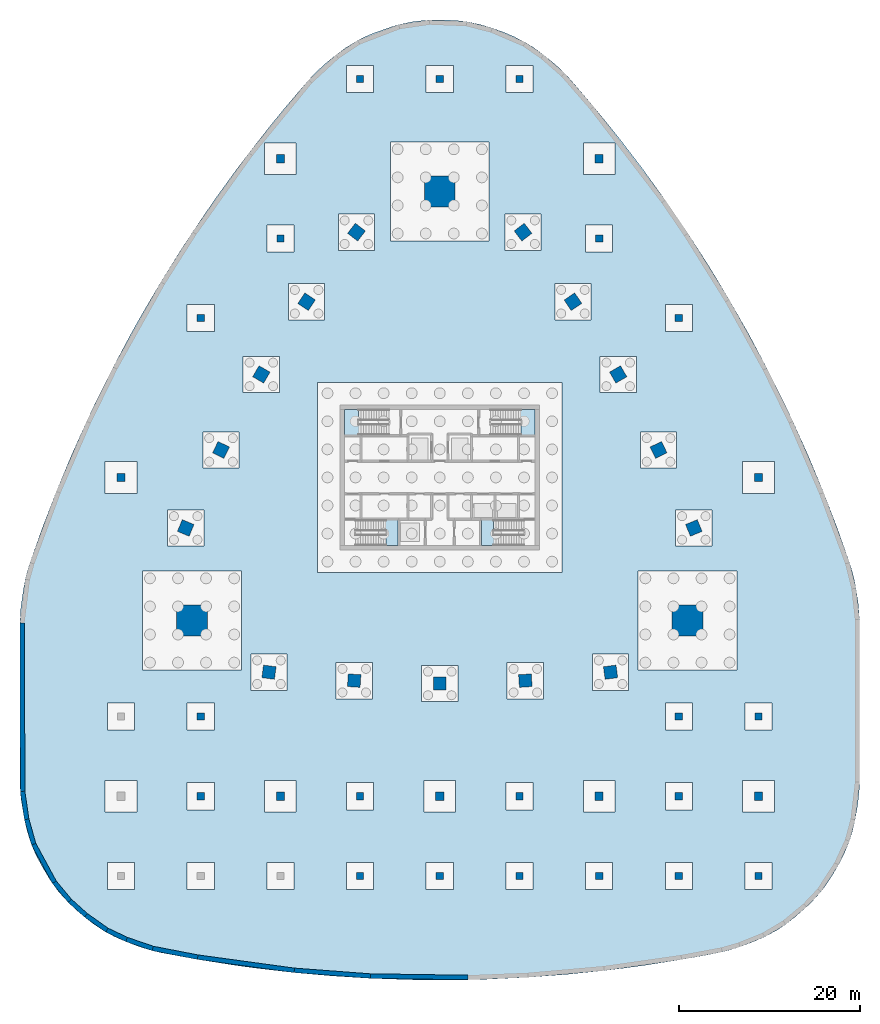
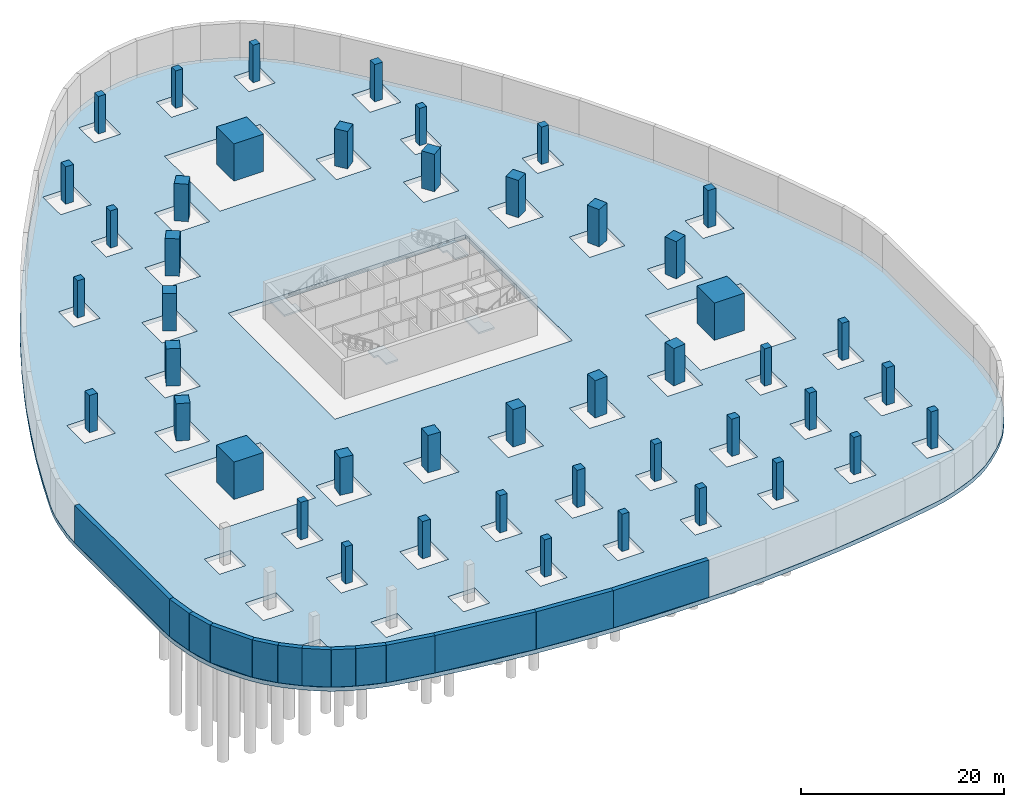
# One storey, part 2 of 8: 46 columns, 13 walls, 5 slabs, 4 elements without a shape of their own.
"""IFC4 building model written with IfcOpenShell, lengths in metres."""

from ifc_helpers import new_model, si_unit, direction, frame, frame_2d, origin, origin_2d, place, context, subcontext, project, spatial, polyline, rectangle, outline, extrude, material, layer, layer_set, material_profile, profile_set, type_object, element, aggregate, save


model = new_model("IFC4")

# Units and contexts
model_context = context("Model", 3, precision=1e-05, world=origin(), true_north=direction((0.0, 1.0)))
body_context = subcontext(model_context, "Body", "Model", "MODEL_VIEW")
ifc_project = project(units=[si_unit("LENGTHUNIT", "METRE"), si_unit("AREAUNIT", "SQUARE_METRE"), si_unit("VOLUMEUNIT", "CUBIC_METRE"), si_unit("PLANEANGLEUNIT", "RADIAN"), si_unit("MASSUNIT", "GRAM", prefix="KILO")], contexts=[model_context])

# Site, building, storey
site_placement = place(None, origin())
site = spatial("IfcSite", under=ifc_project, at=site_placement, CompositionType="ELEMENT")
building_placement = place(site_placement, origin())
building = spatial("IfcBuilding", under=site, at=building_placement, Name="Sierra Prisma Convention Tower", CompositionType="ELEMENT")
storey_placement = place(building_placement, frame((0.0, 0.0, -9.0)))
storey = spatial("IfcBuildingStorey", under=building, at=storey_placement, Name="B2", CompositionType="ELEMENT", Elevation=-9.0)

# Columns
ifc_material_1 = material(Name="Concrete C60/75", Category="concrete")
ifc_material_profile_1 = material_profile(ifc_material_1, rectangle(XDim=0.800048828125, YDim=0.800048828125, at=origin_2d()), Name="Basement column RC 800 C60/75")
ifc_profile_set_1 = profile_set([ifc_material_profile_1], Name="Concrete C60/75")
column_type_1 = type_object("IfcColumnType", Name="Basement column RC 800 C60/75", PredefinedType="COLUMN", material=ifc_profile_set_1)
for number, where, z_axis, x_axis, name in (
    (1, (-26.39990234375, -35.199951171875, 0.0), (0.0, 0.0, 1.0), (1.0, 0.0, 0.0), "Column B2 -26.4 -35.2"),
    (2, (-26.39990234375, -26.39990234375, 0.0), (0.0, 0.0, 1.0), (1.0, 0.0, 0.0), "Column B2 -26.4 -26.4"),
    (3, (-26.39990234375, 17.60009765625, 0.0), (0.0, 0.0, 1.0), (1.0, 0.0, 0.0), "Column B2 -26.4 +17.6"),
    (4, (-17.60009765625, 26.39990234375, 0.0), (0.0, 0.0, 1.0), (1.0, 0.0, 0.0), "Column B2 -17.6 +26.4"),
    (5, (-8.800048828125, -44.0, 0.0), (0.0, 0.0, 1.0), (1.0, 0.0, 0.0), "Column B2 -8.8 -44.0"),
    (6, (-8.800048828125, -35.199951171875, 0.0), (0.0, 0.0, 1.0), (1.0, 0.0, 0.0), "Column B2 -8.8 -35.2"),
    (7, (-8.800048828125, 44.0, 0.0), (0.0, 0.0, 1.0), (1.0, 0.0, 0.0), "Column B2 -8.8 +44.0"),
    (8, (0.0, -44.0, 0.0), (0.0, 0.0, 1.0), (1.0, 0.0, 0.0), "Column B2 +0.0 -44.0"),
    (9, (0.0, 44.0, 0.0), (0.0, 0.0, 1.0), (1.0, 0.0, 0.0), "Column B2 +0.0 +44.0"),
    (10, (8.800048828125, -44.0, 0.0), (0.0, 0.0, 1.0), (1.0, 0.0, 0.0), "Column B2 +8.8 -44.0"),
    (11, (8.800048828125, -35.199951171875, 0.0), (0.0, 0.0, 1.0), (1.0, 0.0, 0.0), "Column B2 +8.8 -35.2"),
    (12, (8.800048828125, 44.0, 0.0), (0.0, 0.0, 1.0), (1.0, 0.0, 0.0), "Column B2 +8.8 +44.0"),
    (13, (17.60009765625, -44.0, 0.0), (0.0, 0.0, 1.0), (1.0, 0.0, 0.0), "Column B2 +17.6 -44.0"),
    (14, (17.60009765625, 26.39990234375, 0.0), (0.0, 0.0, 1.0), (1.0, 0.0, 0.0), "Column B2 +17.6 +26.4"),
    (15, (26.39990234375, -44.0, 0.0), (0.0, 0.0, 1.0), (1.0, 0.0, 0.0), "Column B2 +26.4 -44.0"),
    (16, (26.39990234375, -35.199951171875, 0.0), (0.0, 0.0, 1.0), (1.0, 0.0, 0.0), "Column B2 +26.4 -35.2"),
    (17, (26.39990234375, -26.39990234375, 0.0), (0.0, 0.0, 1.0), (1.0, 0.0, 0.0), "Column B2 +26.4 -26.4"),
    (18, (26.39990234375, 17.60009765625, 0.0), (0.0, 0.0, 1.0), (1.0, 0.0, 0.0), "Column B2 +26.4 +17.6"),
    (19, (35.199951171875, -44.0, 0.0), (0.0, 0.0, 1.0), (1.0, 0.0, 0.0), "Column B2 +35.2 -44.0"),
    (20, (35.199951171875, -26.39990234375, 0.0), (0.0, 0.0, 1.0), (1.0, 0.0, 0.0), "Column B2 +35.2 -26.4"),
):
    element("IfcColumn", number, at=place(storey_placement, frame(where, z_axis=z_axis, x_axis=x_axis)), inside=storey, type_object=column_type_1, Name=name, PredefinedType="COLUMN", context=body_context, shape_type="SweptSolid", body=[
        extrude(rectangle(XDim=0.800048828125, YDim=0.800048828125, at=origin_2d()), origin(), (0.0, 0.0, 1.0), 4.5),
    ])
ifc_material_2 = material(Name="Concrete C70/85", Category="concrete")
ifc_material_profile_2 = material_profile(ifc_material_2, rectangle(XDim=0.89990234375, YDim=0.89990234375, at=origin_2d()), Name="Hall column RC 900 C70/85")
ifc_profile_set_2 = profile_set([ifc_material_profile_2], Name="Concrete C70/85")
column_type_2 = type_object("IfcColumnType", Name="Hall column RC 900 C70/85", PredefinedType="COLUMN", material=ifc_profile_set_2)
for number, where, z_axis, x_axis, name in (
    (21, (-35.199951171875, 0.0, 0.0), (0.0, 0.0, 1.0), (1.0, 0.0, 0.0), "Column B2 -35.2 +0.0"),
    (22, (-17.60009765625, -35.199951171875, 0.0), (0.0, 0.0, 1.0), (1.0, 0.0, 0.0), "Column B2 -17.6 -35.2"),
    (23, (-17.60009765625, 35.199951171875, 0.0), (0.0, 0.0, 1.0), (1.0, 0.0, 0.0), "Column B2 -17.6 +35.2"),
    (24, (0.0, -35.199951171875, 0.0), (0.0, 0.0, 1.0), (1.0, 0.0, 0.0), "Column B2 +0.0 -35.2"),
    (25, (17.60009765625, -35.199951171875, 0.0), (0.0, 0.0, 1.0), (1.0, 0.0, 0.0), "Column B2 +17.6 -35.2"),
    (26, (17.60009765625, 35.199951171875, 0.0), (0.0, 0.0, 1.0), (1.0, 0.0, 0.0), "Column B2 +17.6 +35.2"),
    (27, (35.199951171875, -35.199951171875, 0.0), (0.0, 0.0, 1.0), (1.0, 0.0, 0.0), "Column B2 +35.2 -35.2"),
    (28, (35.199951171875, 0.0, 0.0), (0.0, 0.0, 1.0), (1.0, 0.0, 0.0), "Column B2 +35.2 +0.0"),
):
    element("IfcColumn", number, at=place(storey_placement, frame(where, z_axis=z_axis, x_axis=x_axis)), inside=storey, type_object=column_type_2, Name=name, PredefinedType="COLUMN", context=body_context, shape_type="SweptSolid", body=[
        extrude(rectangle(XDim=0.89990234375, YDim=0.89990234375, at=origin_2d()), origin(), (0.0, 0.0, 1.0), 4.5),
    ])
ifc_material_3 = material(Name="Concrete C70/85", Category="concrete")
ifc_material_profile_3 = material_profile(ifc_material_3, rectangle(XDim=3.39990234375, YDim=3.39990234375, at=origin_2d()), Name="Mega column RC 3400 C70/85")
ifc_profile_set_3 = profile_set([ifc_material_profile_3], Name="Concrete C70/85")
column_type_3 = type_object("IfcColumnType", Name="Mega column RC 3400 C70/85", PredefinedType="COLUMN", material=ifc_profile_set_3)
for number, where, z_axis, x_axis, name in (
    (29, (27.35498046875, -15.79345703125, 0.0), (0.0, 0.0, 1.0), (1.0, 0.0, 0.0), "Mega column SE B2"),
    (30, (0.0, 31.5869140625, 0.0), (0.0, 0.0, 1.0), (1.0, 0.0, 0.0), "Mega column N B2"),
    (31, (-27.35498046875, -15.79345703125, 0.0), (0.0, 0.0, 1.0), (1.0, 0.0, 0.0), "Mega column SW B2"),
):
    element("IfcColumn", number, at=place(storey_placement, frame(where, z_axis=z_axis, x_axis=x_axis)), inside=storey, type_object=column_type_3, Name=name, PredefinedType="COLUMN", context=body_context, shape_type="SweptSolid", body=[
        extrude(rectangle(XDim=3.39990234375, YDim=3.39990234375, at=origin_2d()), origin(), (0.0, 0.0, 1.0), 4.5),
    ])
ifc_material_4 = material(Name="Concrete C70/85", Category="concrete")
ifc_material_profile_4 = material_profile(ifc_material_4, rectangle(XDim=1.39990234375, YDim=1.39990234375, at=origin_2d()), Name="Perimeter column RC 1400 C70/85")
ifc_profile_set_4 = profile_set([ifc_material_profile_4], Name="Concrete C70/85")
column_type_4 = type_object("IfcColumnType", Name="Perimeter column RC 1400 C70/85", PredefinedType="COLUMN", material=ifc_profile_set_4)
for number, where, z_axis, x_axis, name in (
    (32, (-18.85986328125, -21.50830078125, 0.0), (0.0, 0.0, 1.0), (-0.991367231014, 0.131114504428, 0.0), "Perimeter column S-1 B2"),
    (33, (-9.450439453125, -22.439208984375, 0.0), (0.0, 0.0, 1.0), (-0.997839473817, 0.06569919705, 0.0), "Perimeter column S-2 B2"),
    (34, (0.0, -22.75, 0.0), (0.0, 0.0, 1.0), (1.0, 0.0, 0.0), "Perimeter column S-3 B2"),
    (35, (9.450439453125, -22.439208984375, 0.0), (0.0, 0.0, 1.0), (0.997839473817, 0.06569919705, 0.0), "Perimeter column S-4 B2"),
    (36, (18.85986328125, -21.50830078125, 0.0), (0.0, 0.0, 1.0), (0.991367231014, 0.131114504428, 0.0), "Perimeter column S-5 B2"),
    (37, (28.056640625, -5.5791015625, 0.0), (0.0, 0.0, 1.0), (-0.382135123868, 0.924106458752, 0.0), "Perimeter column NE-1 B2"),
    (38, (24.158203125, 3.035400390625, 0.0), (0.0, 0.0, 1.0), (-0.442022563255, 0.897003931749, 0.0), "Perimeter column NE-2 B2"),
    (39, (19.7021484375, 11.375, 0.0), (0.0, 0.0, 1.0), (-0.5, 0.866025403784, 0.0), "Perimeter column NE-3 B2"),
    (40, (14.707763671875, 19.40380859375, 0.0), (0.0, 0.0, 1.0), (-0.555816910562, 0.8313047347, 0.0), "Perimeter column NE-4 B2"),
    (41, (9.19677734375, 27.08740234375, 0.0), (0.0, 0.0, 1.0), (-0.609232107146, 0.792991954324, 0.0), "Perimeter column NE-5 B2"),
    (42, (-9.19677734375, 27.08740234375, 0.0), (0.0, 0.0, 1.0), (0.609232107146, 0.792991954324, 0.0), "Perimeter column NW-1 B2"),
    (43, (-14.707763671875, 19.40380859375, 0.0), (0.0, 0.0, 1.0), (0.555816910562, 0.8313047347, 0.0), "Perimeter column NW-2 B2"),
    (44, (-19.7021484375, 11.375, 0.0), (0.0, 0.0, 1.0), (0.5, 0.866025403784, 0.0), "Perimeter column NW-3 B2"),
    (45, (-24.158203125, 3.035400390625, 0.0), (0.0, 0.0, 1.0), (0.442022563255, 0.897003931749, 0.0), "Perimeter column NW-4 B2"),
    (46, (-28.056640625, -5.5791015625, 0.0), (0.0, 0.0, 1.0), (0.382135123868, 0.924106458752, 0.0), "Perimeter column NW-5 B2"),
):
    element("IfcColumn", number, at=place(storey_placement, frame(where, z_axis=z_axis, x_axis=x_axis)), inside=storey, type_object=column_type_4, Name=name, PredefinedType="COLUMN", context=body_context, shape_type="SweptSolid", body=[
        extrude(rectangle(XDim=1.39990234375, YDim=1.39990234375, at=origin_2d()), origin(), (0.0, 0.0, 1.0), 4.5),
    ])

# Slab
ifc_material_5 = material(Name="Concrete C35/45", Category="concrete")
ifc_layer_1 = layer(ifc_material_5, 0.5)
ifc_layer_set_1 = layer_set([ifc_layer_1], Name="Basement base slab 500")
slab_type_1 = type_object("IfcSlabType", Name="Basement base slab 500", PredefinedType="BASESLAB", material=ifc_layer_set_1)
slab_1_placement = place(storey_placement, frame((0.0, 0.0, -0.5)))
element("IfcSlab", 47, at=slab_1_placement, inside=storey, type_object=slab_type_1, Name="Floor slab B2 base", PredefinedType="BASESLAB", context=body_context, shape_type="SweptSolid", body=[
    extrude(outline(polyline([(3.1064453125, -55.468994140625), (5.262939453125, -55.412109375), (9.762939453125, -55.198974609375), (14.1328125, -54.868408203125), (18.167724609375, -54.455322265625), (20.376708984375, -54.185302734375), (22.702392578125, -53.8662109375), (26.708984375, -53.234375), (29.020263671875, -52.822021484375), (31.199951171875, -52.39208984375), (31.758056640625, -52.258544921875), (33.15185546875, -51.833251953125), (34.67578125, -51.25732421875), (35.86865234375, -50.73681640625), (37.2607421875, -49.982177734375), (38.199462890625, -49.348388671875), (39.225341796875, -48.547607421875), (40.50048828125, -47.436279296875), (41.031494140625, -46.927978515625), (42.09228515625, -45.75244140625), (42.765869140625, -44.841796875), (43.4658203125, -43.74462890625), (44.0283203125, -42.770263671875), (44.628662109375, -41.615478515625), (45.236572265625, -40.1533203125), (45.568115234375, -39.0703125), (45.8623046875, -37.802490234375), (46.15087890625, -36.1904296875), (46.31689453125, -34.686279296875), (46.3544921875, -33.632080078125), (46.346923828125, -15.666259765625), (46.206787109375, -13.87548828125), (45.954833984375, -12.228515625), (45.761962890625, -11.231201171875), (45.5478515625, -10.3740234375), (45.2490234375, -9.4033203125), (43.89208984375, -5.577392578125), (42.38720703125, -1.66455078125), (40.73095703125, 2.3193359375), (38.99560546875, 6.19482421875), (37.962158203125, 8.37841796875), (36.121826171875, 12.069091796875), (34.127197265625, 15.81787109375), (31.964111328125, 19.62939453125), (29.732666015625, 23.32177734375), (27.4013671875, 26.952392578125), (24.90185546875, 30.6181640625), (22.3740234375, 34.114501953125), (19.709716796875, 37.593994140625), (16.993896484375, 40.946533203125), (14.481201171875, 43.888427734375), (13.789794921875, 44.632568359375), (13.154296875, 45.24658203125), (12.38720703125, 45.912353515625), (11.4638671875, 46.658935546875), (10.41650390625, 47.431640625), (9.4609375, 48.03955078125), (8.048828125, 48.755859375), (6.84228515625, 49.243896484375), (5.781494140625, 49.618896484375), (4.53662109375, 49.998291015625), (2.988037109375, 50.3291015625), (1.86279296875, 50.457275390625), (0.5625, 50.514892578125), (-1.12890625, 50.498779296875), (-1.86279296875, 50.457275390625), (-2.988037109375, 50.3291015625), (-4.53662109375, 49.998291015625), (-5.242431640625, 49.792724609375), (-7.370849609375, 49.039794921875), (-8.048828125, 48.755859375), (-9.067138671875, 48.260009765625), (-10.41650390625, 47.431640625), (-11.4638671875, 46.658935546875), (-12.724609375, 45.626953125), (-13.789794921875, 44.632568359375), (-14.481201171875, 43.888427734375), (-16.993896484375, 40.946533203125), (-18.52587890625, 39.07861328125), (-21.07470703125, 35.83642578125), (-22.487548828125, 33.96142578125), (-24.90185546875, 30.6181640625), (-27.2958984375, 27.11083984375), (-28.615966796875, 25.087646484375), (-30.797607421875, 21.587890625), (-32.94775390625, 17.926025390625), (-34.127197265625, 15.81787109375), (-36.06591796875, 12.177978515625), (-37.962158203125, 8.37841796875), (-38.99560546875, 6.19482421875), (-40.73095703125, 2.3193359375), (-42.341796875, -1.551025390625), (-43.89208984375, -5.577392578125), (-45.2490234375, -9.4033203125), (-45.5478515625, -10.3740234375), (-45.761962890625, -11.231201171875), (-45.954833984375, -12.228515625), (-46.26611328125, -14.379638671875), (-46.3544921875, -16.05712890625), (-46.3544921875, -33.632080078125), (-46.31689453125, -34.686279296875), (-46.232666015625, -35.60009765625), (-45.8623046875, -37.802490234375), (-45.568115234375, -39.0703125), (-45.080322265625, -40.576904296875), (-44.628662109375, -41.615478515625), (-44.0283203125, -42.770263671875), (-43.1689453125, -44.22705078125), (-42.765869140625, -44.841796875), (-42.09228515625, -45.75244140625), (-41.031494140625, -46.927978515625), (-40.08056640625, -47.816650390625), (-39.225341796875, -48.547607421875), (-38.199462890625, -49.348388671875), (-36.873046875, -50.213134765625), (-35.86865234375, -50.73681640625), (-34.67578125, -51.25732421875), (-33.15185546875, -51.833251953125), (-31.758056640625, -52.258544921875), (-30.767822265625, -52.4853515625), (-26.776123046875, -53.222900390625), (-22.702392578125, -53.8662109375), (-20.30908203125, -54.19384765625), (-16.0908203125, -54.681396484375), (-11.9150390625, -55.051513671875), (-7.6767578125, -55.313720703125), (-3.364990234375, -55.4638671875), (-0.949462890625, -55.49658203125), (3.1064453125, -55.468994140625)]), holes=[polyline([(-36.699951171875, -45.5), (-36.699951171875, -42.5), (-33.699951171875, -42.5), (-33.699951171875, -45.5), (-36.699951171875, -45.5)]), polyline([(-19.10009765625, -42.5), (-16.10009765625, -42.5), (-16.10009765625, -45.5), (-19.10009765625, -45.5), (-19.10009765625, -42.5)]), polyline([(-27.89990234375, -42.5), (-24.89990234375, -42.5), (-24.89990234375, -45.5), (-27.89990234375, -45.5), (-27.89990234375, -42.5)]), polyline([(-19.35009765625, -36.949951171875), (-19.35009765625, -33.449951171875), (-15.85009765625, -33.449951171875), (-15.85009765625, -36.949951171875), (-19.35009765625, -36.949951171875)]), polyline([(-36.949951171875, -33.449951171875), (-33.449951171875, -33.449951171875), (-33.449951171875, -36.949951171875), (-36.949951171875, -36.949951171875), (-36.949951171875, -33.449951171875)]), polyline([(-27.89990234375, -33.699951171875), (-24.89990234375, -33.699951171875), (-24.89990234375, -36.699951171875), (-27.89990234375, -36.699951171875), (-27.89990234375, -33.699951171875)]), polyline([(-36.699951171875, -27.89990234375), (-36.699951171875, -24.89990234375), (-33.699951171875, -24.89990234375), (-33.699951171875, -27.89990234375), (-36.699951171875, -27.89990234375)]), polyline([(-27.89990234375, -24.89990234375), (-24.89990234375, -24.89990234375), (-24.89990234375, -27.89990234375), (-27.89990234375, -27.89990234375), (-27.89990234375, -24.89990234375)]), polyline([(-20.85986328125, -19.50830078125), (-16.85986328125, -19.50830078125), (-16.85986328125, -23.50830078125), (-20.85986328125, -23.50830078125), (-20.85986328125, -19.50830078125)]), polyline([(-32.80517578125, -10.343505859375), (-21.905029296875, -10.343505859375), (-21.905029296875, -21.243408203125), (-32.80517578125, -21.243408203125), (-32.80517578125, -10.343505859375)]), polyline([(-30.056640625, -3.5791015625), (-26.056640625, -3.5791015625), (-26.056640625, -7.5791015625), (-30.056640625, -7.5791015625), (-30.056640625, -3.5791015625)]), polyline([(-36.949951171875, 1.75), (-33.449951171875, 1.75), (-33.449951171875, -1.75), (-36.949951171875, -1.75), (-36.949951171875, 1.75)]), polyline([(-26.158203125, 5.035400390625), (-22.158203125, 5.035400390625), (-22.158203125, 1.035400390625), (-26.158203125, 1.035400390625), (-26.158203125, 5.035400390625)]), polyline([(-21.7021484375, 9.375), (-21.7021484375, 13.375), (-17.7021484375, 13.375), (-17.7021484375, 9.375), (-21.7021484375, 9.375)]), polyline([(-27.89990234375, 19.10009765625), (-24.89990234375, 19.10009765625), (-24.89990234375, 16.10009765625), (-27.89990234375, 16.10009765625), (-27.89990234375, 19.10009765625)]), polyline([(-16.707763671875, 21.40380859375), (-12.707763671875, 21.40380859375), (-12.707763671875, 17.40380859375), (-16.707763671875, 17.40380859375), (-16.707763671875, 21.40380859375)]), polyline([(-19.10009765625, 24.89990234375), (-19.10009765625, 27.89990234375), (-16.10009765625, 27.89990234375), (-16.10009765625, 24.89990234375), (-19.10009765625, 24.89990234375)]), polyline([(-19.35009765625, 36.949951171875), (-15.85009765625, 36.949951171875), (-15.85009765625, 33.449951171875), (-19.35009765625, 33.449951171875), (-19.35009765625, 36.949951171875)]), polyline([(16.10009765625, -42.5), (19.10009765625, -42.5), (19.10009765625, -45.5), (16.10009765625, -45.5), (16.10009765625, -42.5)]), polyline([(-10.300048828125, -45.5), (-10.300048828125, -42.5), (-7.300048828125, -42.5), (-7.300048828125, -45.5), (-10.300048828125, -45.5)]), polyline([(7.300048828125, -42.5), (10.300048828125, -42.5), (10.300048828125, -45.5), (7.300048828125, -45.5), (7.300048828125, -42.5)]), polyline([(-1.5, -42.5), (1.5, -42.5), (1.5, -45.5), (-1.5, -45.5), (-1.5, -42.5)]), polyline([(-10.300048828125, -33.699951171875), (-7.300048828125, -33.699951171875), (-7.300048828125, -36.699951171875), (-10.300048828125, -36.699951171875), (-10.300048828125, -33.699951171875)]), polyline([(-1.75, -33.449951171875), (1.75, -33.449951171875), (1.75, -36.949951171875), (-1.75, -36.949951171875), (-1.75, -33.449951171875)]), polyline([(7.300048828125, -33.699951171875), (10.300048828125, -33.699951171875), (10.300048828125, -36.699951171875), (7.300048828125, -36.699951171875), (7.300048828125, -33.699951171875)]), polyline([(-2.0, -20.75), (2.0, -20.75), (2.0, -24.75), (-2.0, -24.75), (-2.0, -20.75)]), polyline([(7.450439453125, -24.439208984375), (7.450439453125, -20.439208984375), (11.450439453125, -20.439208984375), (11.450439453125, -24.439208984375), (7.450439453125, -24.439208984375)]), polyline([(-11.450439453125, -20.439208984375), (-7.450439453125, -20.439208984375), (-7.450439453125, -24.439208984375), (-11.450439453125, -24.439208984375), (-11.450439453125, -20.439208984375)]), polyline([(-13.5, 10.5), (13.5, 10.5), (13.5, -10.5), (-13.5, -10.5), (-13.5, 10.5)]), polyline([(12.707763671875, 17.40380859375), (12.707763671875, 21.40380859375), (16.707763671875, 21.40380859375), (16.707763671875, 17.40380859375), (12.707763671875, 17.40380859375)]), polyline([(7.19677734375, 29.08740234375), (11.19677734375, 29.08740234375), (11.19677734375, 25.08740234375), (7.19677734375, 25.08740234375), (7.19677734375, 29.08740234375)]), polyline([(-11.19677734375, 29.08740234375), (-7.19677734375, 29.08740234375), (-7.19677734375, 25.08740234375), (-11.19677734375, 25.08740234375), (-11.19677734375, 29.08740234375)]), polyline([(-5.449951171875, 26.136962890625), (-5.449951171875, 37.036865234375), (5.449951171875, 37.036865234375), (5.449951171875, 26.136962890625), (-5.449951171875, 26.136962890625)]), polyline([(7.300048828125, 45.5), (10.300048828125, 45.5), (10.300048828125, 42.5), (7.300048828125, 42.5), (7.300048828125, 45.5)]), polyline([(-1.5, 45.5), (1.5, 45.5), (1.5, 42.5), (-1.5, 42.5), (-1.5, 45.5)]), polyline([(-10.300048828125, 45.5), (-7.300048828125, 45.5), (-7.300048828125, 42.5), (-10.300048828125, 42.5), (-10.300048828125, 45.5)]), polyline([(24.89990234375, -42.5), (27.89990234375, -42.5), (27.89990234375, -45.5), (24.89990234375, -45.5), (24.89990234375, -42.5)]), polyline([(33.699951171875, -42.5), (36.699951171875, -42.5), (36.699951171875, -45.5), (33.699951171875, -45.5), (33.699951171875, -42.5)]), polyline([(15.85009765625, -33.449951171875), (19.35009765625, -33.449951171875), (19.35009765625, -36.949951171875), (15.85009765625, -36.949951171875), (15.85009765625, -33.449951171875)]), polyline([(24.89990234375, -36.699951171875), (24.89990234375, -33.699951171875), (27.89990234375, -33.699951171875), (27.89990234375, -36.699951171875), (24.89990234375, -36.699951171875)]), polyline([(33.449951171875, -33.449951171875), (36.949951171875, -33.449951171875), (36.949951171875, -36.949951171875), (33.449951171875, -36.949951171875), (33.449951171875, -33.449951171875)]), polyline([(24.89990234375, -24.89990234375), (27.89990234375, -24.89990234375), (27.89990234375, -27.89990234375), (24.89990234375, -27.89990234375), (24.89990234375, -24.89990234375)]), polyline([(33.699951171875, -27.89990234375), (33.699951171875, -24.89990234375), (36.699951171875, -24.89990234375), (36.699951171875, -27.89990234375), (33.699951171875, -27.89990234375)]), polyline([(16.85986328125, -19.50830078125), (20.85986328125, -19.50830078125), (20.85986328125, -23.50830078125), (16.85986328125, -23.50830078125), (16.85986328125, -19.50830078125)]), polyline([(21.905029296875, -10.343505859375), (32.80517578125, -10.343505859375), (32.80517578125, -21.243408203125), (21.905029296875, -21.243408203125), (21.905029296875, -10.343505859375)]), polyline([(26.056640625, -7.5791015625), (26.056640625, -3.5791015625), (30.056640625, -3.5791015625), (30.056640625, -7.5791015625), (26.056640625, -7.5791015625)]), polyline([(33.449951171875, 1.75), (36.949951171875, 1.75), (36.949951171875, -1.75), (33.449951171875, -1.75), (33.449951171875, 1.75)]), polyline([(22.158203125, 5.035400390625), (26.158203125, 5.035400390625), (26.158203125, 1.035400390625), (22.158203125, 1.035400390625), (22.158203125, 5.035400390625)]), polyline([(17.7021484375, 13.375), (21.7021484375, 13.375), (21.7021484375, 9.375), (17.7021484375, 9.375), (17.7021484375, 13.375)]), polyline([(24.89990234375, 19.10009765625), (27.89990234375, 19.10009765625), (27.89990234375, 16.10009765625), (24.89990234375, 16.10009765625), (24.89990234375, 19.10009765625)]), polyline([(16.10009765625, 27.89990234375), (19.10009765625, 27.89990234375), (19.10009765625, 24.89990234375), (16.10009765625, 24.89990234375), (16.10009765625, 27.89990234375)]), polyline([(15.85009765625, 36.949951171875), (19.35009765625, 36.949951171875), (19.35009765625, 33.449951171875), (15.85009765625, 33.449951171875), (15.85009765625, 36.949951171875)])]), origin(), (0.0, 0.0, 1.0), 0.5),
])

# Stair, slab
ifc_material_6 = material(Name="Concrete C30/37", Category="concrete")
stair_type = type_object("IfcStairType", Name="Stair dog-leg 1200 RC", PredefinedType="HALF_TURN_STAIR", material=ifc_material_6)
stair_1_placement = place(storey_placement, origin())
stair_1 = element("IfcStair", 48, at=stair_1_placement, inside=storey, type_object=stair_type, Name="B2 S1", PredefinedType="HALF_TURN_STAIR")
ifc_material_7 = material(Name="Concrete C35/45", Category="concrete")
ifc_layer_2 = layer(ifc_material_7, 0.199951171875)
ifc_layer_set_2 = layer_set([ifc_layer_2], Name="Stair landing slab")
slab_type_2 = type_object("IfcSlabType", Name="Stair landing slab", PredefinedType="LANDING", material=ifc_layer_set_2)
slab_2_placement = place(storey_placement, frame((0.0, 0.0, 2.050048828125)))
slab_2 = element("IfcSlab", 49, at=slab_2_placement, type_object=slab_type_2, Name="S1 landing 1", PredefinedType="LANDING", context=body_context, shape_type="SweptSolid", body=[
    extrude(outline(polyline([(-4.60009765625, -4.699951171875), (-4.60009765625, -7.5), (-5.94189453125, -7.5), (-5.94189453125, -5.89990234375), (-6.389892578125, -5.89990234375), (-6.389892578125, -4.699951171875), (-4.60009765625, -4.699951171875)])), origin(), (0.0, 0.0, 1.0), 0.199951171875),
])
aggregate(stair_1, [slab_2])

stair_2_placement = place(storey_placement, origin())
stair_2 = element("IfcStair", 50, at=stair_2_placement, inside=storey, type_object=stair_type, Name="B2 S2", PredefinedType="HALF_TURN_STAIR")
slab_3_placement = place(storey_placement, frame((0.0, 0.0, 2.050048828125)))
slab_3 = element("IfcSlab", 51, at=slab_3_placement, type_object=slab_type_2, Name="S2 landing 1", PredefinedType="LANDING", context=body_context, shape_type="SweptSolid", body=[
    extrude(outline(polyline([(6.389892578125, -6.300048828125), (6.389892578125, -7.5), (4.60009765625, -7.5), (4.60009765625, -4.699951171875), (5.94189453125, -4.699951171875), (5.94189453125, -6.300048828125), (6.389892578125, -6.300048828125)])), origin(), (0.0, 0.0, 1.0), 0.199951171875),
])
aggregate(stair_2, [slab_3])

stair_3_placement = place(storey_placement, origin())
stair_3 = element("IfcStair", 52, at=stair_3_placement, inside=storey, type_object=stair_type, Name="B2 S3", PredefinedType="HALF_TURN_STAIR")
slab_4_placement = place(storey_placement, frame((0.0, 0.0, 2.050048828125)))
slab_4 = element("IfcSlab", 53, at=slab_4_placement, type_object=slab_type_2, Name="S3 landing 1", PredefinedType="LANDING", context=body_context, shape_type="SweptSolid", body=[
    extrude(outline(polyline([(-8.510009765625, 5.89990234375), (-8.510009765625, 4.699951171875), (-10.5, 4.699951171875), (-10.5, 7.5), (-8.9580078125, 7.5), (-8.9580078125, 5.89990234375), (-8.510009765625, 5.89990234375)])), origin(), (0.0, 0.0, 1.0), 0.199951171875),
])
aggregate(stair_3, [slab_4])

stair_4_placement = place(storey_placement, origin())
stair_4 = element("IfcStair", 54, at=stair_4_placement, inside=storey, type_object=stair_type, Name="B2 S4", PredefinedType="HALF_TURN_STAIR")
slab_5_placement = place(storey_placement, frame((0.0, 0.0, 2.050048828125)))
slab_5 = element("IfcSlab", 55, at=slab_5_placement, type_object=slab_type_2, Name="S4 landing 1", PredefinedType="LANDING", context=body_context, shape_type="SweptSolid", body=[
    extrude(outline(polyline([(10.5, 7.5), (10.5, 4.699951171875), (8.9580078125, 4.699951171875), (8.9580078125, 6.300048828125), (8.510009765625, 6.300048828125), (8.510009765625, 7.5), (10.5, 7.5)])), origin(), (0.0, 0.0, 1.0), 0.199951171875),
])
aggregate(stair_4, [slab_5])

# Walls
ifc_material_8 = material(Name="Concrete C40/50", Category="concrete")
ifc_layer_3 = layer(ifc_material_8, 0.5)
ifc_layer_set_3 = layer_set([ifc_layer_3], Name="Retaining wall 500")
wall_type = type_object("IfcWallType", Name="Retaining wall 500", PredefinedType="SOLIDWALL", material=ifc_layer_set_3)
wall_1_placement = place(storey_placement, frame((3.102294921875, -55.218994140625, 0.0), z_axis=(0.0, 0.0, 1.0), x_axis=(-0.999896353878, 0.014397274092, 0.0)))
element("IfcWall", 56, at=wall_1_placement, inside=storey, type_object=wall_type, Name="Retaining wall B2 01", PredefinedType="SOLIDWALL", context=body_context, shape_type="SweptSolid", body=[
    extrude(rectangle(XDim=10.76806640625, YDim=0.5, at=frame_2d((5.384033203125, 0.0))), origin(), (0.0, 0.0, 1.0), 4.5),
])
wall_2_placement = place(storey_placement, frame((-7.66455078125, -55.06396484375, 0.0), z_axis=(0.0, 0.0, 1.0), x_axis=(-0.997187951521, 0.074941239251, 0.0)))
element("IfcWall", 57, at=wall_2_placement, inside=storey, type_object=wall_type, Name="Retaining wall B2 02", PredefinedType="SOLIDWALL", context=body_context, shape_type="SweptSolid", body=[
    extrude(rectangle(XDim=8.424560546875, YDim=0.5, at=frame_2d((4.21240234375, 0.0))), origin(), (0.0, 0.0, 1.0), 4.5),
])
wall_3_placement = place(storey_placement, frame((-16.0654296875, -54.4326171875, 0.0), z_axis=(0.0, 0.0, 1.0), x_axis=(-0.99081443201, 0.135228552165, 0.0)))
element("IfcWall", 58, at=wall_3_placement, inside=storey, type_object=wall_type, Name="Retaining wall B2 03", PredefinedType="SOLIDWALL", context=body_context, shape_type="SweptSolid", body=[
    extrude(rectangle(XDim=10.767333984375, YDim=0.5, at=frame_2d((5.3837890625, 0.0))), origin(), (0.0, 0.0, 1.0), 4.5),
])
wall_4_placement = place(storey_placement, frame((-26.73388671875, -52.9765625, 0.0), z_axis=(0.0, 0.0, 1.0), x_axis=(-0.981788284041, 0.189978328554, 0.0)))
element("IfcWall", 59, at=wall_4_placement, inside=storey, type_object=wall_type, Name="Retaining wall B2 04", PredefinedType="SOLIDWALL", context=body_context, shape_type="SweptSolid", body=[
    extrude(rectangle(XDim=5.0517578125, YDim=0.5, at=frame_2d((2.52587890625, 0.0))), origin(), (0.0, 0.0, 1.0), 4.5),
])
wall_5_placement = place(storey_placement, frame((-31.693603515625, -52.016845703125, 0.0), z_axis=(0.0, 0.0, 1.0), x_axis=(-0.945863909961, 0.324563497382, 0.0)))
element("IfcWall", 60, at=wall_5_placement, inside=storey, type_object=wall_type, Name="Retaining wall B2 05", PredefinedType="SOLIDWALL", context=body_context, shape_type="SweptSolid", body=[
    extrude(rectangle(XDim=3.05322265625, YDim=0.5, at=frame_2d((1.526611328125, 0.0))), origin(), (0.0, 0.0, 1.0), 4.5),
])
wall_6_placement = place(storey_placement, frame((-34.58154296875, -51.02587890625, 0.0), z_axis=(0.0, 0.0, 1.0), x_axis=(-0.903210389345, 0.429198080819, 0.0)))
element("IfcWall", 61, at=wall_6_placement, inside=storey, type_object=wall_type, Name="Retaining wall B2 06", PredefinedType="SOLIDWALL", context=body_context, shape_type="SweptSolid", body=[
    extrude(rectangle(XDim=2.39697265625, YDim=0.5, at=frame_2d((1.198486328125, 0.0))), origin(), (0.0, 0.0, 1.0), 4.5),
])
wall_7_placement = place(storey_placement, frame((-36.74658203125, -49.9970703125, 0.0), z_axis=(0.0, 0.0, 1.0), x_axis=(-0.816134153521, 0.57786247798, 0.0)))
element("IfcWall", 62, at=wall_7_placement, inside=storey, type_object=wall_type, Name="Retaining wall B2 07", PredefinedType="SOLIDWALL", context=body_context, shape_type="SweptSolid", body=[
    extrude(rectangle(XDim=2.84326171875, YDim=0.5, at=frame_2d((1.421630859375, 0.0))), origin(), (0.0, 0.0, 1.0), 4.5),
])
wall_8_placement = place(storey_placement, frame((-39.067138671875, -48.35400390625, 0.0), z_axis=(0.0, 0.0, 1.0), x_axis=(-0.744482217969, 0.667642289799, 0.0)))
element("IfcWall", 63, at=wall_8_placement, inside=storey, type_object=wall_type, Name="Retaining wall B2 08", PredefinedType="SOLIDWALL", context=body_context, shape_type="SweptSolid", body=[
    extrude(rectangle(XDim=2.39892578125, YDim=0.5, at=frame_2d((1.199462890625, 0.0))), origin(), (0.0, 0.0, 1.0), 4.5),
])
wall_9_placement = place(storey_placement, frame((-40.85302734375, -46.75244140625, 0.0), z_axis=(0.0, 0.0, 1.0), x_axis=(-0.63937488944, 0.768895149388, 0.0)))
element("IfcWall", 64, at=wall_9_placement, inside=storey, type_object=wall_type, Name="Retaining wall B2 09", PredefinedType="SOLIDWALL", context=body_context, shape_type="SweptSolid", body=[
    extrude(rectangle(XDim=2.6708984375, YDim=0.5, at=frame_2d((1.33544921875, 0.0))), origin(), (0.0, 0.0, 1.0), 4.5),
])
wall_10_placement = place(storey_placement, frame((-42.560791015625, -44.69873046875, 0.0), z_axis=(0.0, 0.0, 1.0), x_axis=(-0.477048002242, 0.878877240323, 0.0)))
element("IfcWall", 65, at=wall_10_placement, inside=storey, type_object=wall_type, Name="Retaining wall B2 10", PredefinedType="SOLIDWALL", context=body_context, shape_type="SweptSolid", body=[
    extrude(rectangle(XDim=4.790771484375, YDim=0.5, at=frame_2d((2.3955078125, 0.0))), origin(), (0.0, 0.0, 1.0), 4.5),
])
wall_11_placement = place(storey_placement, frame((-44.84619140625, -40.48828125, 0.0), z_axis=(0.0, 0.0, 1.0), x_axis=(-0.271258120225, 0.962506640087, 0.0)))
element("IfcWall", 66, at=wall_11_placement, inside=storey, type_object=wall_type, Name="Retaining wall B2 11", PredefinedType="SOLIDWALL", context=body_context, shape_type="SweptSolid", body=[
    extrude(rectangle(XDim=2.84130859375, YDim=0.5, at=frame_2d((1.420654296875, 0.0))), origin(), (0.0, 0.0, 1.0), 4.5),
])
wall_12_placement = place(storey_placement, frame((-45.616943359375, -37.75341796875, 0.0), z_axis=(0.0, 0.0, 1.0), x_axis=(-0.144481110013, 0.989507558763, 0.0)))
element("IfcWall", 67, at=wall_12_placement, inside=storey, type_object=wall_type, Name="Retaining wall B2 12", PredefinedType="SOLIDWALL", context=body_context, shape_type="SweptSolid", body=[
    extrude(rectangle(XDim=3.115966796875, YDim=0.5, at=frame_2d((1.55810546875, 0.0))), origin(), (0.0, 0.0, 1.0), 4.5),
])
wall_13_placement = place(storey_placement, frame((-46.067138671875, -34.670166015625, 0.0), z_axis=(0.0, 0.0, 1.0), x_axis=(-0.002007553819, 0.999997984862, 0.0)))
element("IfcWall", 68, at=wall_13_placement, inside=storey, type_object=wall_type, Name="Retaining wall B2 13", PredefinedType="SOLIDWALL", context=body_context, shape_type="SweptSolid", body=[
    extrude(rectangle(XDim=18.6064453125, YDim=0.5, at=frame_2d((9.30322265625, 0.0))), origin(), (0.0, 0.0, 1.0), 4.5),
])

save(model, "model.ifc")
